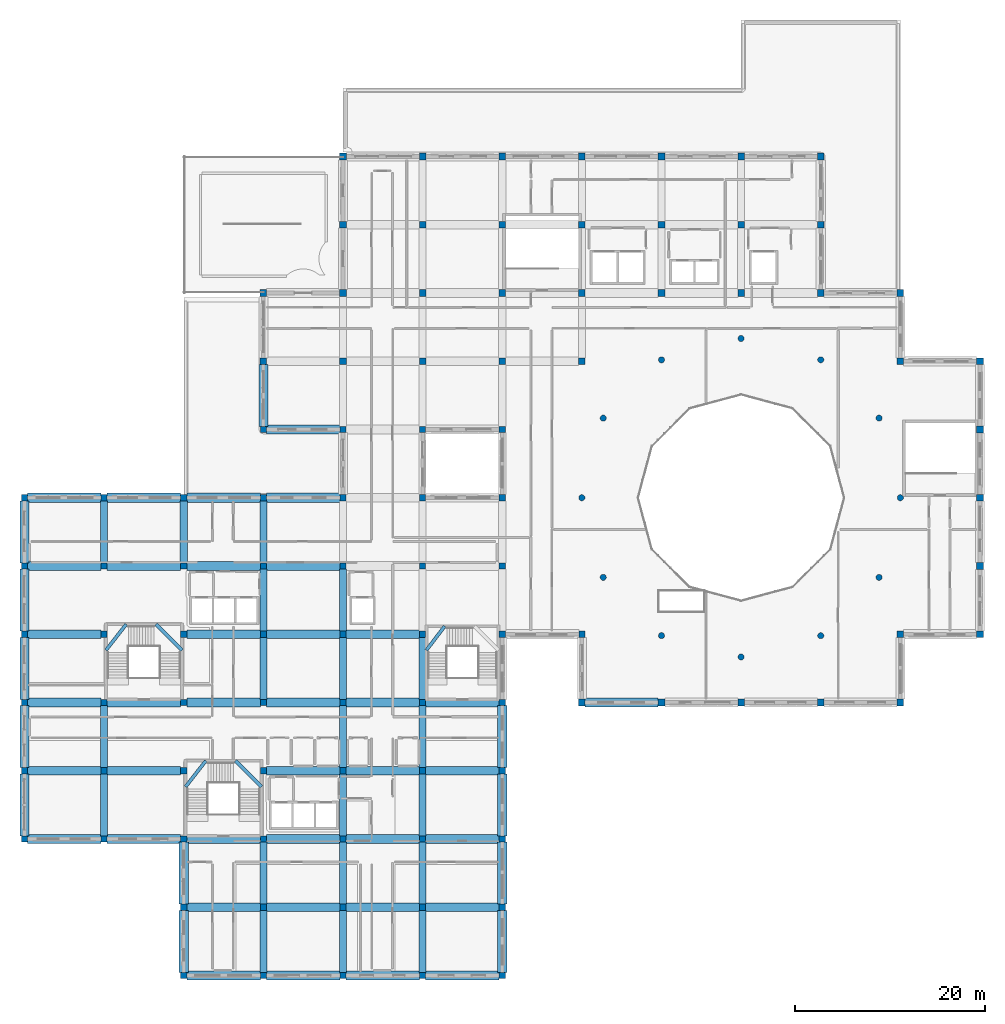
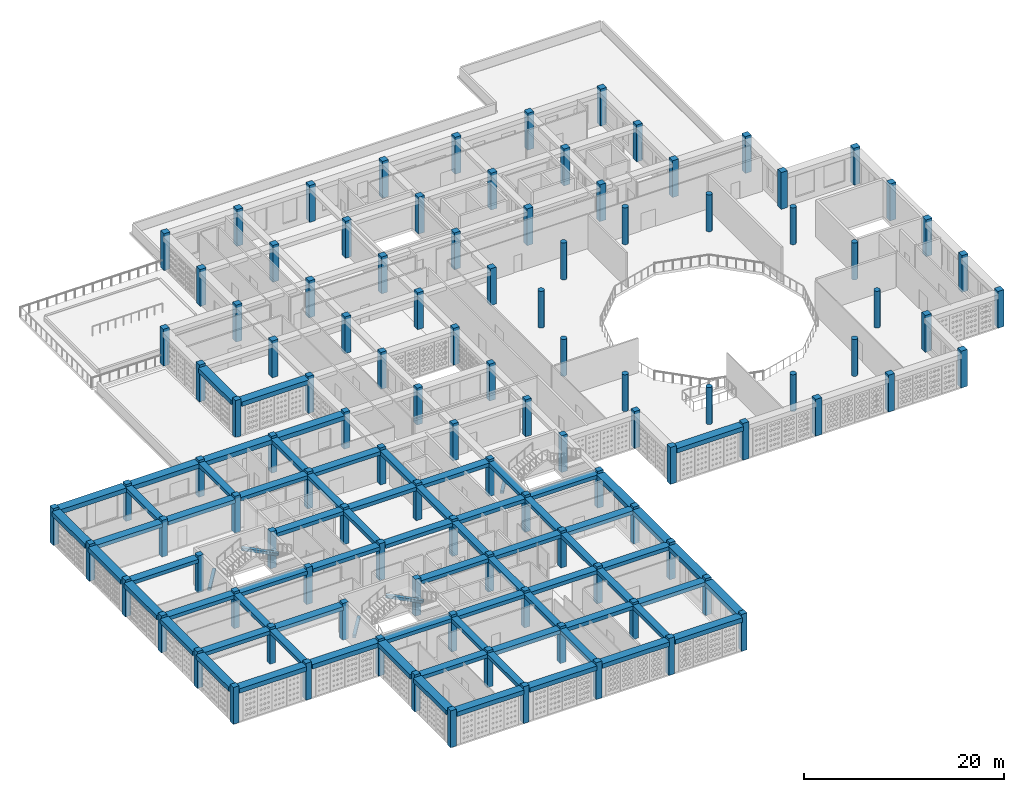
# One storey, part 1 of 47: 109 columns, 76 beams.
"""IFC4 building model written with IfcOpenShell, lengths in metres."""

from ifc_helpers import new_model, si_unit, derived_unit, direction, frame, origin, origin_2d, place, context, subcontext, project, spatial, rectangle, circle, extrude, material, material_profile, profile_set, type_object, element, save


model = new_model("IFC4")

# Units and contexts
model_context = context("Model", 3, precision=1e-05, world=origin(), true_north=direction((0.0, 1.0)))
body_context = subcontext(model_context, "Body", "Model", "MODEL_VIEW")
ifc_project = project(units=[si_unit("LENGTHUNIT", "METRE"), si_unit("AREAUNIT", "SQUARE_METRE"), si_unit("VOLUMEUNIT", "CUBIC_METRE"), si_unit("PLANEANGLEUNIT", "RADIAN"), si_unit("MASSUNIT", "GRAM", prefix="KILO"), derived_unit("THERMALTRANSMITTANCEUNIT", [(si_unit("POWERUNIT", "WATT"), 1), (si_unit("LENGTHUNIT", "METRE"), -2), (si_unit("THERMODYNAMICTEMPERATUREUNIT", "KELVIN"), -1)])], contexts=[model_context])

# Site, building, storey
site_placement = place(None, origin())
site = spatial("IfcSite", under=ifc_project, at=site_placement, CompositionType="ELEMENT")
building_placement = place(site_placement, origin())
building = spatial("IfcBuilding", under=site, at=building_placement, Name="Veybourne Emporium", CompositionType="ELEMENT")
storey_placement = place(building_placement, frame((0.0, 0.0, 23.39990234375)))
storey = spatial("IfcBuildingStorey", under=building, at=storey_placement, Name="L05", CompositionType="ELEMENT", Elevation=23.39990234375)

# Columns
ifc_material_1 = material(Name="Concrete C40/50", Category="concrete")
ifc_material_profile_1 = material_profile(ifc_material_1, rectangle(XDim=0.699951171875, YDim=0.699951171875, at=origin_2d()), Name="RC 700x700")
ifc_profile_set_1 = profile_set([ifc_material_profile_1], Name="Concrete C40/50")
column_type_1 = type_object("IfcColumnType", Name="Col_C-04", PredefinedType="COLUMN", material=ifc_profile_set_1)
for number, where, z_axis, x_axis, name in (
    (1, (25.199951171875, 64.800048828125, 0.0), (0.0, 0.0, 1.0), (1.0, 0.0, 0.0), "Column C-04 L05 (3,9)"),
    (2, (25.199951171875, 72.0, 0.0), (0.0, 0.0, 1.0), (1.0, 0.0, 0.0), "Column C-04 L05 (3,10)"),
    (3, (33.60009765625, 64.800048828125, 0.0), (0.0, 0.0, 1.0), (1.0, 0.0, 0.0), "Column C-04 L05 (4,9)"),
    (4, (33.60009765625, 72.0, 0.0), (0.0, 0.0, 1.0), (1.0, 0.0, 0.0), "Column C-04 L05 (4,10)"),
    (5, (33.60009765625, 79.199951171875, 0.0), (0.0, 0.0, 1.0), (1.0, 0.0, 0.0), "Column C-04 L05 (4,11)"),
    (6, (33.60009765625, 86.39990234375, 0.0), (0.0, 0.0, 1.0), (1.0, 0.0, 0.0), "Column C-04 L05 (4,12)"),
    (7, (42.0, 64.800048828125, 0.0), (0.0, 0.0, 1.0), (1.0, 0.0, 0.0), "Column C-04 L05 (5,9)"),
    (8, (42.0, 72.0, 0.0), (0.0, 0.0, 1.0), (1.0, 0.0, 0.0), "Column C-04 L05 (5,10)"),
    (9, (42.0, 79.199951171875, 0.0), (0.0, 0.0, 1.0), (1.0, 0.0, 0.0), "Column C-04 L05 (5,11)"),
    (10, (42.0, 86.39990234375, 0.0), (0.0, 0.0, 1.0), (1.0, 0.0, 0.0), "Column C-04 L05 (5,12)"),
    (11, (50.39990234375, 64.800048828125, 0.0), (0.0, 0.0, 1.0), (1.0, 0.0, 0.0), "Column C-04 L05 (6,9)"),
    (12, (50.39990234375, 72.0, 0.0), (0.0, 0.0, 1.0), (1.0, 0.0, 0.0), "Column C-04 L05 (6,10)"),
    (13, (50.39990234375, 79.199951171875, 0.0), (0.0, 0.0, 1.0), (1.0, 0.0, 0.0), "Column C-04 L05 (6,11)"),
    (14, (50.39990234375, 86.39990234375, 0.0), (0.0, 0.0, 1.0), (1.0, 0.0, 0.0), "Column C-04 L05 (6,12)"),
    (15, (58.800048828125, 28.800048828125, 0.0), (0.0, 0.0, 1.0), (1.0, 0.0, 0.0), "Column C-04 L05 (7,4)"),
    (16, (58.800048828125, 64.800048828125, 0.0), (0.0, 0.0, 1.0), (1.0, 0.0, 0.0), "Column C-04 L05 (7,9)"),
    (17, (58.800048828125, 72.0, 0.0), (0.0, 0.0, 1.0), (1.0, 0.0, 0.0), "Column C-04 L05 (7,10)"),
    (18, (58.800048828125, 79.199951171875, 0.0), (0.0, 0.0, 1.0), (1.0, 0.0, 0.0), "Column C-04 L05 (7,11)"),
    (19, (58.800048828125, 86.39990234375, 0.0), (0.0, 0.0, 1.0), (1.0, 0.0, 0.0), "Column C-04 L05 (7,12)"),
    (20, (67.199951171875, 28.800048828125, 0.0), (0.0, 0.0, 1.0), (1.0, 0.0, 0.0), "Column C-04 L05 (8,4)"),
    (21, (67.199951171875, 72.0, 0.0), (0.0, 0.0, 1.0), (1.0, 0.0, 0.0), "Column C-04 L05 (8,10)"),
    (22, (67.199951171875, 79.199951171875, 0.0), (0.0, 0.0, 1.0), (1.0, 0.0, 0.0), "Column C-04 L05 (8,11)"),
    (23, (67.199951171875, 86.39990234375, 0.0), (0.0, 0.0, 1.0), (1.0, 0.0, 0.0), "Column C-04 L05 (8,12)"),
    (24, (75.60009765625, 28.800048828125, 0.0), (0.0, 0.0, 1.0), (1.0, 0.0, 0.0), "Column C-04 L05 (9,4)"),
    (25, (75.60009765625, 72.0, 0.0), (0.0, 0.0, 1.0), (1.0, 0.0, 0.0), "Column C-04 L05 (9,10)"),
    (26, (75.60009765625, 79.199951171875, 0.0), (0.0, 0.0, 1.0), (1.0, 0.0, 0.0), "Column C-04 L05 (9,11)"),
    (27, (75.60009765625, 86.39990234375, 0.0), (0.0, 0.0, 1.0), (1.0, 0.0, 0.0), "Column C-04 L05 (9,12)"),
    (28, (84.0, 28.800048828125, 0.0), (0.0, 0.0, 1.0), (1.0, 0.0, 0.0), "Column C-04 L05 (10,4)"),
    (29, (84.0, 72.0, 0.0), (0.0, 0.0, 1.0), (1.0, 0.0, 0.0), "Column C-04 L05 (10,10)"),
    (30, (84.0, 79.199951171875, 0.0), (0.0, 0.0, 1.0), (1.0, 0.0, 0.0), "Column C-04 L05 (10,11)"),
    (31, (84.0, 86.39990234375, 0.0), (0.0, 0.0, 1.0), (1.0, 0.0, 0.0), "Column C-04 L05 (10,12)"),
    (32, (92.39990234375, 28.800048828125, 0.0), (0.0, 0.0, 1.0), (1.0, 0.0, 0.0), "Column C-04 L05 (11,4)"),
    (33, (92.39990234375, 36.0, 0.0), (0.0, 0.0, 1.0), (1.0, 0.0, 0.0), "Column C-04 L05 (11,5)"),
    (34, (92.39990234375, 64.800048828125, 0.0), (0.0, 0.0, 1.0), (1.0, 0.0, 0.0), "Column C-04 L05 (11,9)"),
    (35, (92.39990234375, 72.0, 0.0), (0.0, 0.0, 1.0), (1.0, 0.0, 0.0), "Column C-04 L05 (11,10)"),
    (36, (100.800048828125, 36.0, 0.0), (0.0, 0.0, 1.0), (1.0, 0.0, 0.0), "Column C-04 L05 (12,5)"),
    (37, (100.800048828125, 43.199951171875, 0.0), (0.0, 0.0, 1.0), (1.0, 0.0, 0.0), "Column C-04 L05 (12,6)"),
    (38, (100.800048828125, 50.39990234375, 0.0), (0.0, 0.0, 1.0), (1.0, 0.0, 0.0), "Column C-04 L05 (12,7)"),
    (39, (100.800048828125, 57.60009765625, 0.0), (0.0, 0.0, 1.0), (1.0, 0.0, 0.0), "Column C-04 L05 (12,8)"),
    (40, (100.800048828125, 64.800048828125, 0.0), (0.0, 0.0, 1.0), (1.0, 0.0, 0.0), "Column C-04 L05 (12,9)"),
):
    element("IfcColumn", number, at=place(storey_placement, frame(where, z_axis=z_axis, x_axis=x_axis)), inside=storey, type_object=column_type_1, Name=name, PredefinedType="COLUMN", context=body_context, shape_type="SweptSolid", body=[
        extrude(rectangle(XDim=0.699951171875, YDim=0.699951171875, at=origin_2d()), origin(), (0.0, 0.0, 1.0), 4.5),
    ])
ifc_material_profile_2 = material_profile(ifc_material_1, rectangle(XDim=0.64990234375, YDim=0.64990234375, at=origin_2d()), Name="RC 650x650")
ifc_profile_set_2 = profile_set([ifc_material_profile_2], Name="Concrete C40/50")
column_type_2 = type_object("IfcColumnType", Name="Col_C-05", PredefinedType="COLUMN", material=ifc_profile_set_2)
for number, where, z_axis, x_axis, name in (
    (41, (8.39990234375, 14.39990234375, 0.0), (0.0, 0.0, 1.0), (1.0, 0.0, 0.0), "Column C-05 L05 (1,2)"),
    (42, (8.39990234375, 21.60009765625, 0.0), (0.0, 0.0, 1.0), (1.0, 0.0, 0.0), "Column C-05 L05 (1,3)"),
    (43, (8.39990234375, 28.800048828125, 0.0), (0.0, 0.0, 1.0), (1.0, 0.0, 0.0), "Column C-05 L05 (1,4)"),
    (44, (8.39990234375, 36.0, 0.0), (0.0, 0.0, 1.0), (1.0, 0.0, 0.0), "Column C-05 L05 (1,5)"),
    (45, (8.39990234375, 43.199951171875, 0.0), (0.0, 0.0, 1.0), (1.0, 0.0, 0.0), "Column C-05 L05 (1,6)"),
    (46, (8.39990234375, 50.39990234375, 0.0), (0.0, 0.0, 1.0), (1.0, 0.0, 0.0), "Column C-05 L05 (1,7)"),
    (47, (16.800048828125, 7.199951171875, 0.0), (0.0, 0.0, 1.0), (1.0, 0.0, 0.0), "Column C-05 L05 (2,1)"),
    (48, (16.800048828125, 14.39990234375, 0.0), (0.0, 0.0, 1.0), (1.0, 0.0, 0.0), "Column C-05 L05 (2,2)"),
    (49, (16.800048828125, 21.60009765625, 0.0), (0.0, 0.0, 1.0), (1.0, 0.0, 0.0), "Column C-05 L05 (2,3)"),
    (50, (16.800048828125, 28.800048828125, 0.0), (0.0, 0.0, 1.0), (1.0, 0.0, 0.0), "Column C-05 L05 (2,4)"),
    (51, (16.800048828125, 36.0, 0.0), (0.0, 0.0, 1.0), (1.0, 0.0, 0.0), "Column C-05 L05 (2,5)"),
    (52, (16.800048828125, 43.199951171875, 0.0), (0.0, 0.0, 1.0), (1.0, 0.0, 0.0), "Column C-05 L05 (2,6)"),
    (53, (16.800048828125, 50.39990234375, 0.0), (0.0, 0.0, 1.0), (1.0, 0.0, 0.0), "Column C-05 L05 (2,7)"),
    (54, (25.199951171875, 7.199951171875, 0.0), (0.0, 0.0, 1.0), (1.0, 0.0, 0.0), "Column C-05 L05 (3,1)"),
    (55, (25.199951171875, 14.39990234375, 0.0), (0.0, 0.0, 1.0), (1.0, 0.0, 0.0), "Column C-05 L05 (3,2)"),
    (56, (25.199951171875, 21.60009765625, 0.0), (0.0, 0.0, 1.0), (1.0, 0.0, 0.0), "Column C-05 L05 (3,3)"),
    (57, (25.199951171875, 28.800048828125, 0.0), (0.0, 0.0, 1.0), (1.0, 0.0, 0.0), "Column C-05 L05 (3,4)"),
    (58, (25.199951171875, 36.0, 0.0), (0.0, 0.0, 1.0), (1.0, 0.0, 0.0), "Column C-05 L05 (3,5)"),
    (59, (25.199951171875, 43.199951171875, 0.0), (0.0, 0.0, 1.0), (1.0, 0.0, 0.0), "Column C-05 L05 (3,6)"),
    (60, (25.199951171875, 50.39990234375, 0.0), (0.0, 0.0, 1.0), (1.0, 0.0, 0.0), "Column C-05 L05 (3,7)"),
    (61, (25.199951171875, 57.60009765625, 0.0), (0.0, 0.0, 1.0), (1.0, 0.0, 0.0), "Column C-05 L05 (3,8)"),
    (62, (33.60009765625, 7.199951171875, 0.0), (0.0, 0.0, 1.0), (1.0, 0.0, 0.0), "Column C-05 L05 (4,1)"),
    (63, (33.60009765625, 14.39990234375, 0.0), (0.0, 0.0, 1.0), (1.0, 0.0, 0.0), "Column C-05 L05 (4,2)"),
    (64, (33.60009765625, 21.60009765625, 0.0), (0.0, 0.0, 1.0), (1.0, 0.0, 0.0), "Column C-05 L05 (4,3)"),
    (65, (33.60009765625, 28.800048828125, 0.0), (0.0, 0.0, 1.0), (1.0, 0.0, 0.0), "Column C-05 L05 (4,4)"),
    (66, (33.60009765625, 36.0, 0.0), (0.0, 0.0, 1.0), (1.0, 0.0, 0.0), "Column C-05 L05 (4,5)"),
    (67, (33.60009765625, 43.199951171875, 0.0), (0.0, 0.0, 1.0), (1.0, 0.0, 0.0), "Column C-05 L05 (4,6)"),
    (68, (33.60009765625, 50.39990234375, 0.0), (0.0, 0.0, 1.0), (1.0, 0.0, 0.0), "Column C-05 L05 (4,7)"),
    (69, (33.60009765625, 57.60009765625, 0.0), (0.0, 0.0, 1.0), (1.0, 0.0, 0.0), "Column C-05 L05 (4,8)"),
    (70, (42.0, 7.199951171875, 0.0), (0.0, 0.0, 1.0), (1.0, 0.0, 0.0), "Column C-05 L05 (5,1)"),
    (71, (42.0, 14.39990234375, 0.0), (0.0, 0.0, 1.0), (1.0, 0.0, 0.0), "Column C-05 L05 (5,2)"),
    (72, (42.0, 21.60009765625, 0.0), (0.0, 0.0, 1.0), (1.0, 0.0, 0.0), "Column C-05 L05 (5,3)"),
    (73, (42.0, 28.800048828125, 0.0), (0.0, 0.0, 1.0), (1.0, 0.0, 0.0), "Column C-05 L05 (5,4)"),
    (74, (42.0, 36.0, 0.0), (0.0, 0.0, 1.0), (1.0, 0.0, 0.0), "Column C-05 L05 (5,5)"),
    (75, (42.0, 43.199951171875, 0.0), (0.0, 0.0, 1.0), (1.0, 0.0, 0.0), "Column C-05 L05 (5,6)"),
    (76, (42.0, 50.39990234375, 0.0), (0.0, 0.0, 1.0), (1.0, 0.0, 0.0), "Column C-05 L05 (5,7)"),
    (77, (42.0, 57.60009765625, 0.0), (0.0, 0.0, 1.0), (1.0, 0.0, 0.0), "Column C-05 L05 (5,8)"),
    (78, (50.39990234375, 7.199951171875, 0.0), (0.0, 0.0, 1.0), (1.0, 0.0, 0.0), "Column C-05 L05 (6,1)"),
    (79, (50.39990234375, 14.39990234375, 0.0), (0.0, 0.0, 1.0), (1.0, 0.0, 0.0), "Column C-05 L05 (6,2)"),
    (80, (50.39990234375, 21.60009765625, 0.0), (0.0, 0.0, 1.0), (1.0, 0.0, 0.0), "Column C-05 L05 (6,3)"),
    (81, (50.39990234375, 28.800048828125, 0.0), (0.0, 0.0, 1.0), (1.0, 0.0, 0.0), "Column C-05 L05 (6,4)"),
    (82, (50.39990234375, 36.0, 0.0), (0.0, 0.0, 1.0), (1.0, 0.0, 0.0), "Column C-05 L05 (6,5)"),
    (83, (50.39990234375, 43.199951171875, 0.0), (0.0, 0.0, 1.0), (1.0, 0.0, 0.0), "Column C-05 L05 (6,6)"),
    (84, (50.39990234375, 50.39990234375, 0.0), (0.0, 0.0, 1.0), (1.0, 0.0, 0.0), "Column C-05 L05 (6,7)"),
    (85, (50.39990234375, 57.60009765625, 0.0), (0.0, 0.0, 1.0), (1.0, 0.0, 0.0), "Column C-05 L05 (6,8)"),
    (86, (58.800048828125, 36.0, 0.0), (0.0, 0.0, 1.0), (1.0, 0.0, 0.0), "Column C-05 L05 (7,5)"),
):
    element("IfcColumn", number, at=place(storey_placement, frame(where, z_axis=z_axis, x_axis=x_axis)), inside=storey, type_object=column_type_2, Name=name, PredefinedType="COLUMN", context=body_context, shape_type="SweptSolid", body=[
        extrude(rectangle(XDim=0.64990234375, YDim=0.64990234375, at=origin_2d()), origin(), (0.0, 0.0, 1.0), 4.5),
    ])
ifc_material_profile_3 = material_profile(ifc_material_1, circle(Radius=0.324951171875, at=origin_2d()), Name="RC D650")
ifc_profile_set_3 = profile_set([ifc_material_profile_3], Name="Concrete C40/50")
column_type_3 = type_object("IfcColumnType", Name="Col_CD-03", PredefinedType="COLUMN", material=ifc_profile_set_3)
for number, where, z_axis, x_axis, name in (
    (87, (92.39990234375, 50.39990234375, 0.0), (0.0, 0.0, 1.0), (1.0, 0.0, 0.0), "Atrium drum column CD-03 L05-01"),
    (88, (90.149169921875, 58.800048828125, 0.0), (0.0, 0.0, 1.0), (1.0, 0.0, 0.0), "Atrium drum column CD-03 L05-02"),
    (89, (84.0, 64.94921875, 0.0), (0.0, 0.0, 1.0), (1.0, 0.0, 0.0), "Atrium drum column CD-03 L05-03"),
    (90, (75.60009765625, 67.199951171875, 0.0), (0.0, 0.0, 1.0), (1.0, 0.0, 0.0), "Atrium drum column CD-03 L05-04"),
    (91, (67.199951171875, 64.94921875, 0.0), (0.0, 0.0, 1.0), (1.0, 0.0, 0.0), "Atrium drum column CD-03 L05-05"),
    (92, (61.05078125, 58.800048828125, 0.0), (0.0, 0.0, 1.0), (1.0, 0.0, 0.0), "Atrium drum column CD-03 L05-06"),
    (93, (58.800048828125, 50.39990234375, 0.0), (0.0, 0.0, 1.0), (1.0, 0.0, 0.0), "Atrium drum column CD-03 L05-07"),
    (94, (61.05078125, 42.0, 0.0), (0.0, 0.0, 1.0), (1.0, 0.0, 0.0), "Atrium drum column CD-03 L05-08"),
    (95, (67.199951171875, 35.850830078125, 0.0), (0.0, 0.0, 1.0), (1.0, 0.0, 0.0), "Atrium drum column CD-03 L05-09"),
    (96, (75.60009765625, 33.60009765625, 0.0), (0.0, 0.0, 1.0), (1.0, 0.0, 0.0), "Atrium drum column CD-03 L05-10"),
    (97, (84.0, 35.850830078125, 0.0), (0.0, 0.0, 1.0), (1.0, 0.0, 0.0), "Atrium drum column CD-03 L05-11"),
    (98, (90.149169921875, 42.0, 0.0), (0.0, 0.0, 1.0), (1.0, 0.0, 0.0), "Atrium drum column CD-03 L05-12"),
):
    element("IfcColumn", number, at=place(storey_placement, frame(where, z_axis=z_axis, x_axis=x_axis)), inside=storey, type_object=column_type_3, Name=name, PredefinedType="COLUMN", context=body_context, shape_type="SweptSolid", body=[
        extrude(circle(Radius=0.324951171875, at=origin_2d()), origin(), (0.0, 0.0, 1.0), 4.5),
    ])
ifc_material_profile_4 = material_profile(ifc_material_1, rectangle(XDim=0.64990234375, YDim=0.64990234375, at=origin_2d()), Name="RC 650x650")
ifc_profile_set_4 = profile_set([ifc_material_profile_4], Name="Concrete C40/50")
column_type_4 = type_object("IfcColumnType", Name="Col_CE-05", PredefinedType="COLUMN", material=ifc_profile_set_4)
for number, where, z_axis, x_axis, name in (
    (99, (0.0, 14.39990234375, 0.0), (0.0, 0.0, 1.0), (1.0, 0.0, 0.0), "Column CE-05 L05 (0,2)"),
    (100, (0.0, 21.60009765625, 0.0), (0.0, 0.0, 1.0), (1.0, 0.0, 0.0), "Column CE-05 L05 (0,3)"),
    (101, (0.0, 28.800048828125, 0.0), (0.0, 0.0, 1.0), (1.0, 0.0, 0.0), "Column CE-05 L05 (0,4)"),
    (102, (0.0, 36.0, 0.0), (0.0, 0.0, 1.0), (1.0, 0.0, 0.0), "Column CE-05 L05 (0,5)"),
    (103, (0.0, 43.199951171875, 0.0), (0.0, 0.0, 1.0), (1.0, 0.0, 0.0), "Column CE-05 L05 (0,6)"),
    (104, (0.0, 50.39990234375, 0.0), (0.0, 0.0, 1.0), (1.0, 0.0, 0.0), "Column CE-05 L05 (0,7)"),
    (105, (16.800048828125, 0.0, 0.0), (0.0, 0.0, 1.0), (1.0, 0.0, 0.0), "Column CE-05 L05 (2,0)"),
    (106, (25.199951171875, 0.0, 0.0), (0.0, 0.0, 1.0), (1.0, 0.0, 0.0), "Column CE-05 L05 (3,0)"),
    (107, (33.60009765625, 0.0, 0.0), (0.0, 0.0, 1.0), (1.0, 0.0, 0.0), "Column CE-05 L05 (4,0)"),
    (108, (42.0, 0.0, 0.0), (0.0, 0.0, 1.0), (1.0, 0.0, 0.0), "Column CE-05 L05 (5,0)"),
    (109, (50.39990234375, 0.0, 0.0), (0.0, 0.0, 1.0), (1.0, 0.0, 0.0), "Column CE-05 L05 (6,0)"),
):
    element("IfcColumn", number, at=place(storey_placement, frame(where, z_axis=z_axis, x_axis=x_axis)), inside=storey, type_object=column_type_4, Name=name, PredefinedType="COLUMN", context=body_context, shape_type="SweptSolid", body=[
        extrude(rectangle(XDim=0.64990234375, YDim=0.64990234375, at=origin_2d()), origin(), (0.0, 0.0, 1.0), 4.5),
    ])

# Beams
ifc_material_2 = material(Name="Concrete C32/40", Category="concrete")
ifc_material_profile_5 = material_profile(ifc_material_2, rectangle(XDim=0.35009765625, YDim=0.35009765625, at=origin_2d()), Name="RC 350x350")
ifc_profile_set_5 = profile_set([ifc_material_profile_5], Name="Concrete C32/40")
beam_type_1 = type_object("IfcBeamType", Name="LandingBeam_LB-01", PredefinedType="BEAM", material=ifc_profile_set_5)
beam_1_placement = place(storey_placement, frame((17.0, 19.919921875, 1.125), z_axis=(0.615121224311, 0.788432545879, 0.0), x_axis=(-0.788432545879, 0.615121224311, 0.0)))
element("IfcBeam", 110, at=beam_1_placement, inside=storey, type_object=beam_type_1, Name="L05 ST-01 landing 1 support beam", PredefinedType="BEAM", context=body_context, shape_type="SweptSolid", body=[
    extrude(rectangle(XDim=0.35009765625, YDim=0.35009765625, at=origin_2d()), origin(), (0.0, 0.0, 1.0), 3.462646484375),
])
beam_2_placement = place(storey_placement, frame((22.27001953125, 22.64990234375, 2.625), z_axis=(0.707106781187, -0.707106781187, 0.0), x_axis=(0.707106781187, 0.707106781187, 0.0)))
element("IfcBeam", 111, at=beam_2_placement, inside=storey, type_object=beam_type_1, Name="L05 ST-01 landing 2 support beam", PredefinedType="BEAM", context=body_context, shape_type="SweptSolid", body=[
    extrude(rectangle(XDim=0.35009765625, YDim=0.35009765625, at=origin_2d()), origin(), (0.0, 0.0, 1.0), 3.86083984375),
])
beam_3_placement = place(storey_placement, frame((8.60009765625, 34.320068359375, 1.125), z_axis=(0.615121224311, 0.788432545879, 0.0), x_axis=(-0.788432545879, 0.615121224311, 0.0)))
element("IfcBeam", 112, at=beam_3_placement, inside=storey, type_object=beam_type_1, Name="L05 ST-02 landing 1 support beam", PredefinedType="BEAM", context=body_context, shape_type="SweptSolid", body=[
    extrude(rectangle(XDim=0.35009765625, YDim=0.35009765625, at=origin_2d()), origin(), (0.0, 0.0, 1.0), 3.462646484375),
])
beam_4_placement = place(storey_placement, frame((13.8701171875, 37.050048828125, 2.625), z_axis=(0.707106781187, -0.707106781187, 0.0), x_axis=(0.707106781187, 0.707106781187, 0.0)))
element("IfcBeam", 113, at=beam_4_placement, inside=storey, type_object=beam_type_1, Name="L05 ST-02 landing 2 support beam", PredefinedType="BEAM", context=body_context, shape_type="SweptSolid", body=[
    extrude(rectangle(XDim=0.35009765625, YDim=0.35009765625, at=origin_2d()), origin(), (0.0, 0.0, 1.0), 3.86083984375),
])
beam_5_placement = place(storey_placement, frame((42.39990234375, 34.320068359375, 1.125), z_axis=(0.606547000965, 0.795047631039, 0.0), x_axis=(-0.795047631039, 0.606547000965, 0.0)))
element("IfcBeam", 114, at=beam_5_placement, inside=storey, type_object=beam_type_1, Name="L05 ST-05 landing 1 support beam", PredefinedType="BEAM", context=body_context, shape_type="SweptSolid", body=[
    extrude(rectangle(XDim=0.35009765625, YDim=0.35009765625, at=origin_2d()), origin(), (0.0, 0.0, 1.0), 3.18212890625),
])
ifc_material_profile_6 = material_profile(ifc_material_2, rectangle(XDim=0.89990234375, YDim=0.449951171875, at=origin_2d()), Name="RC 900x450")
ifc_profile_set_6 = profile_set([ifc_material_profile_6], Name="Concrete C32/40")
beam_type_2 = type_object("IfcBeamType", Name="RCBeam_BB-03", PredefinedType="BEAM", material=ifc_profile_set_6)
for number, where, z_axis, x_axis, name in (
    (115, (0.324951171875, 21.60009765625, 3.985107421875), (1.0, 0.0, 0.0), (0.0, 1.0, 0.0), "L05 X-grid beam BB-03 (0,3)"),
    (116, (0.324951171875, 28.800048828125, 3.985107421875), (1.0, 0.0, 0.0), (0.0, 1.0, 0.0), "L05 X-grid beam BB-03 (0,4)"),
    (117, (0.324951171875, 36.0, 3.985107421875), (1.0, 0.0, 0.0), (0.0, 1.0, 0.0), "L05 X-grid beam BB-03 (0,5)"),
    (118, (0.324951171875, 43.199951171875, 3.985107421875), (1.0, 0.0, 0.0), (0.0, 1.0, 0.0), "L05 X-grid beam BB-03 (0,6)"),
    (119, (8.72509765625, 21.60009765625, 3.985107421875), (1.0, 0.0, 0.0), (0.0, 1.0, 0.0), "L05 X-grid beam BB-03 (1,3)"),
    (120, (8.72509765625, 28.800048828125, 3.985107421875), (1.0, 0.0, 0.0), (0.0, 1.0, 0.0), "L05 X-grid beam BB-03 (1,4)"),
    (121, (8.72509765625, 43.199951171875, 3.985107421875), (1.0, 0.0, 0.0), (0.0, 1.0, 0.0), "L05 X-grid beam BB-03 (1,6)"),
    (122, (17.125, 7.199951171875, 3.985107421875), (1.0, 0.0, 0.0), (0.0, 1.0, 0.0), "L05 X-grid beam BB-03 (2,1)"),
    (123, (17.125, 14.39990234375, 3.985107421875), (1.0, 0.0, 0.0), (0.0, 1.0, 0.0), "L05 X-grid beam BB-03 (2,2)"),
    (124, (17.125, 28.800048828125, 3.985107421875), (1.0, 0.0, 0.0), (0.0, 1.0, 0.0), "L05 X-grid beam BB-03 (2,4)"),
    (125, (17.125, 36.0, 3.985107421875), (1.0, 0.0, 0.0), (0.0, 1.0, 0.0), "L05 X-grid beam BB-03 (2,5)"),
    (126, (17.125, 43.199951171875, 3.985107421875), (1.0, 0.0, 0.0), (0.0, 1.0, 0.0), "L05 X-grid beam BB-03 (2,6)"),
    (127, (25.52490234375, 7.199951171875, 3.985107421875), (1.0, 0.0, 0.0), (0.0, 1.0, 0.0), "L05 X-grid beam BB-03 (3,1)"),
    (128, (25.52490234375, 14.39990234375, 3.985107421875), (1.0, 0.0, 0.0), (0.0, 1.0, 0.0), "L05 X-grid beam BB-03 (3,2)"),
    (129, (25.52490234375, 21.60009765625, 3.985107421875), (1.0, 0.0, 0.0), (0.0, 1.0, 0.0), "L05 X-grid beam BB-03 (3,3)"),
    (130, (25.52490234375, 28.800048828125, 3.985107421875), (1.0, 0.0, 0.0), (0.0, 1.0, 0.0), "L05 X-grid beam BB-03 (3,4)"),
    (131, (25.52490234375, 36.0, 3.985107421875), (1.0, 0.0, 0.0), (0.0, 1.0, 0.0), "L05 X-grid beam BB-03 (3,5)"),
    (132, (25.52490234375, 43.199951171875, 3.985107421875), (1.0, 0.0, 0.0), (0.0, 1.0, 0.0), "L05 X-grid beam BB-03 (3,6)"),
    (133, (33.925048828125, 7.199951171875, 3.985107421875), (1.0, 0.0, 0.0), (0.0, 1.0, 0.0), "L05 X-grid beam BB-03 (4,1)"),
    (134, (33.925048828125, 14.39990234375, 3.985107421875), (1.0, 0.0, 0.0), (0.0, 1.0, 0.0), "L05 X-grid beam BB-03 (4,2)"),
    (135, (33.925048828125, 21.60009765625, 3.985107421875), (1.0, 0.0, 0.0), (0.0, 1.0, 0.0), "L05 X-grid beam BB-03 (4,3)"),
    (136, (33.925048828125, 28.800048828125, 3.985107421875), (1.0, 0.0, 0.0), (0.0, 1.0, 0.0), "L05 X-grid beam BB-03 (4,4)"),
    (137, (33.925048828125, 36.0, 3.985107421875), (1.0, 0.0, 0.0), (0.0, 1.0, 0.0), "L05 X-grid beam BB-03 (4,5)"),
    (138, (42.324951171875, 7.199951171875, 3.985107421875), (1.0, 0.0, 0.0), (0.0, 1.0, 0.0), "L05 X-grid beam BB-03 (5,1)"),
    (139, (42.324951171875, 14.39990234375, 3.985107421875), (1.0, 0.0, 0.0), (0.0, 1.0, 0.0), "L05 X-grid beam BB-03 (5,2)"),
    (140, (42.324951171875, 21.60009765625, 3.985107421875), (1.0, 0.0, 0.0), (0.0, 1.0, 0.0), "L05 X-grid beam BB-03 (5,3)"),
    (141, (42.324951171875, 28.800048828125, 3.985107421875), (1.0, 0.0, 0.0), (0.0, 1.0, 0.0), "L05 X-grid beam BB-03 (5,4)"),
):
    element("IfcBeam", number, at=place(storey_placement, frame(where, z_axis=z_axis, x_axis=x_axis)), inside=storey, type_object=beam_type_2, Name=name, PredefinedType="BEAM", context=body_context, shape_type="SweptSolid", body=[
        extrude(rectangle(XDim=0.89990234375, YDim=0.449951171875, at=origin_2d()), origin(), (0.0, 0.0, 1.0), 7.75),
    ])
ifc_material_profile_7 = material_profile(ifc_material_2, rectangle(XDim=0.75, YDim=0.449951171875, at=origin_2d()), Name="RC 750x450")
ifc_profile_set_7 = profile_set([ifc_material_profile_7], Name="Concrete C32/40")
beam_type_3 = type_object("IfcBeamType", Name="RCBeam_BB-04", PredefinedType="BEAM", material=ifc_profile_set_7)
beam_6_placement = place(storey_placement, frame((8.39990234375, 14.72509765625, 3.985107421875), z_axis=(0.0, 1.0, 0.0), x_axis=(-1.0, 0.0, 0.0)))
element("IfcBeam", 142, at=beam_6_placement, inside=storey, type_object=beam_type_3, Name="L05 Y-grid beam BB-04 (1,2)", PredefinedType="BEAM", context=body_context, shape_type="SweptSolid", body=[
    extrude(rectangle(XDim=0.75, YDim=0.449951171875, at=origin_2d()), origin(), (0.0, 0.0, 1.0), 6.5498046875),
])
for number, where, z_axis, x_axis, name in (
    (143, (8.39990234375, 21.925048828125, 3.985107421875), (0.0, 1.0, 0.0), (-1.0, 0.0, 0.0), "L05 Y-grid beam BB-04 (1,3)"),
    (144, (8.39990234375, 43.52490234375, 3.985107421875), (0.0, 1.0, 0.0), (-1.0, 0.0, 0.0), "L05 Y-grid beam BB-04 (1,6)"),
    (145, (16.800048828125, 43.52490234375, 3.985107421875), (0.0, 1.0, 0.0), (-1.0, 0.0, 0.0), "L05 Y-grid beam BB-04 (2,6)"),
    (146, (25.199951171875, 0.324951171875, 3.985107421875), (0.0, 1.0, 0.0), (-1.0, 0.0, 0.0), "L05 Y-grid beam BB-04 (3,0)"),
    (147, (25.199951171875, 7.52490234375, 3.985107421875), (0.0, 1.0, 0.0), (-1.0, 0.0, 0.0), "L05 Y-grid beam BB-04 (3,1)"),
    (148, (25.199951171875, 29.125, 3.985107421875), (0.0, 1.0, 0.0), (-1.0, 0.0, 0.0), "L05 Y-grid beam BB-04 (3,4)"),
    (149, (25.199951171875, 36.324951171875, 3.985107421875), (0.0, 1.0, 0.0), (-1.0, 0.0, 0.0), "L05 Y-grid beam BB-04 (3,5)"),
    (150, (25.199951171875, 43.52490234375, 3.985107421875), (0.0, 1.0, 0.0), (-1.0, 0.0, 0.0), "L05 Y-grid beam BB-04 (3,6)"),
    (151, (33.60009765625, 0.324951171875, 3.985107421875), (0.0, 1.0, 0.0), (-1.0, 0.0, 0.0), "L05 Y-grid beam BB-04 (4,0)"),
    (152, (33.60009765625, 7.52490234375, 3.985107421875), (0.0, 1.0, 0.0), (-1.0, 0.0, 0.0), "L05 Y-grid beam BB-04 (4,1)"),
):
    element("IfcBeam", number, at=place(storey_placement, frame(where, z_axis=z_axis, x_axis=x_axis)), inside=storey, type_object=beam_type_3, Name=name, PredefinedType="BEAM", context=body_context, shape_type="SweptSolid", body=[
        extrude(rectangle(XDim=0.75, YDim=0.449951171875, at=origin_2d()), origin(), (0.0, 0.0, 1.0), 6.550048828125),
    ])
beam_7_placement = place(storey_placement, frame((33.60009765625, 14.72509765625, 3.985107421875), z_axis=(0.0, 1.0, 0.0), x_axis=(-1.0, 0.0, 0.0)))
element("IfcBeam", 153, at=beam_7_placement, inside=storey, type_object=beam_type_3, Name="L05 Y-grid beam BB-04 (4,2)", PredefinedType="BEAM", context=body_context, shape_type="SweptSolid", body=[
    extrude(rectangle(XDim=0.75, YDim=0.449951171875, at=origin_2d()), origin(), (0.0, 0.0, 1.0), 6.5498046875),
])
for number, where, z_axis, x_axis, name in (
    (154, (33.60009765625, 21.925048828125, 3.985107421875), (0.0, 1.0, 0.0), (-1.0, 0.0, 0.0), "L05 Y-grid beam BB-04 (4,3)"),
    (155, (33.60009765625, 29.125, 3.985107421875), (0.0, 1.0, 0.0), (-1.0, 0.0, 0.0), "L05 Y-grid beam BB-04 (4,4)"),
    (156, (33.60009765625, 36.324951171875, 3.985107421875), (0.0, 1.0, 0.0), (-1.0, 0.0, 0.0), "L05 Y-grid beam BB-04 (4,5)"),
    (157, (42.0, 0.324951171875, 3.985107421875), (0.0, 1.0, 0.0), (-1.0, 0.0, 0.0), "L05 Y-grid beam BB-04 (5,0)"),
    (158, (42.0, 7.52490234375, 3.985107421875), (0.0, 1.0, 0.0), (-1.0, 0.0, 0.0), "L05 Y-grid beam BB-04 (5,1)"),
):
    element("IfcBeam", number, at=place(storey_placement, frame(where, z_axis=z_axis, x_axis=x_axis)), inside=storey, type_object=beam_type_3, Name=name, PredefinedType="BEAM", context=body_context, shape_type="SweptSolid", body=[
        extrude(rectangle(XDim=0.75, YDim=0.449951171875, at=origin_2d()), origin(), (0.0, 0.0, 1.0), 6.550048828125),
    ])
beam_8_placement = place(storey_placement, frame((42.0, 14.72509765625, 3.985107421875), z_axis=(0.0, 1.0, 0.0), x_axis=(-1.0, 0.0, 0.0)))
element("IfcBeam", 159, at=beam_8_placement, inside=storey, type_object=beam_type_3, Name="L05 Y-grid beam BB-04 (5,2)", PredefinedType="BEAM", context=body_context, shape_type="SweptSolid", body=[
    extrude(rectangle(XDim=0.75, YDim=0.449951171875, at=origin_2d()), origin(), (0.0, 0.0, 1.0), 6.5498046875),
])
for number, where, z_axis, x_axis, name in (
    (160, (42.0, 21.925048828125, 3.985107421875), (0.0, 1.0, 0.0), (-1.0, 0.0, 0.0), "L05 Y-grid beam BB-04 (5,3)"),
    (161, (42.0, 29.125, 3.985107421875), (0.0, 1.0, 0.0), (-1.0, 0.0, 0.0), "L05 Y-grid beam BB-04 (5,4)"),
):
    element("IfcBeam", number, at=place(storey_placement, frame(where, z_axis=z_axis, x_axis=x_axis)), inside=storey, type_object=beam_type_3, Name=name, PredefinedType="BEAM", context=body_context, shape_type="SweptSolid", body=[
        extrude(rectangle(XDim=0.75, YDim=0.449951171875, at=origin_2d()), origin(), (0.0, 0.0, 1.0), 6.550048828125),
    ])
ifc_material_profile_8 = material_profile(ifc_material_2, rectangle(XDim=0.949951171875, YDim=0.550048828125, at=origin_2d()), Name="RC 950x550")
ifc_profile_set_8 = profile_set([ifc_material_profile_8], Name="Concrete C32/40")
beam_type_4 = type_object("IfcBeamType", Name="RCBeam_EB-01", PredefinedType="SPANDREL", material=ifc_profile_set_8)
for number, where, z_axis, x_axis, name in (
    (162, (0.324951171875, 14.39990234375, 3.93505859375), (1.0, 0.0, 0.0), (0.0, 1.0, 0.0), "L05 X-grid beam EB-01 (0,2)"),
    (163, (0.324951171875, 50.39990234375, 3.93505859375), (1.0, 0.0, 0.0), (0.0, 1.0, 0.0), "L05 X-grid beam EB-01 (0,7)"),
    (164, (8.72509765625, 14.39990234375, 3.93505859375), (1.0, 0.0, 0.0), (0.0, 1.0, 0.0), "L05 X-grid beam EB-01 (1,2)"),
    (165, (8.72509765625, 50.39990234375, 3.93505859375), (1.0, 0.0, 0.0), (0.0, 1.0, 0.0), "L05 X-grid beam EB-01 (1,7)"),
    (166, (17.125, 0.0, 3.93505859375), (1.0, 0.0, 0.0), (0.0, 1.0, 0.0), "L05 X-grid beam EB-01 (2,0)"),
    (167, (17.125, 50.39990234375, 3.93505859375), (1.0, 0.0, 0.0), (0.0, 1.0, 0.0), "L05 X-grid beam EB-01 (2,7)"),
    (168, (25.52490234375, 0.0, 3.93505859375), (1.0, 0.0, 0.0), (0.0, 1.0, 0.0), "L05 X-grid beam EB-01 (3,0)"),
    (169, (25.52490234375, 50.39990234375, 3.93505859375), (1.0, 0.0, 0.0), (0.0, 1.0, 0.0), "L05 X-grid beam EB-01 (3,7)"),
    (170, (25.52490234375, 57.60009765625, 3.93505859375), (1.0, 0.0, 0.0), (0.0, 1.0, 0.0), "L05 X-grid beam EB-01 (3,8)"),
    (171, (33.925048828125, 0.0, 3.93505859375), (1.0, 0.0, 0.0), (0.0, 1.0, 0.0), "L05 X-grid beam EB-01 (4,0)"),
    (172, (42.324951171875, 0.0, 3.93505859375), (1.0, 0.0, 0.0), (0.0, 1.0, 0.0), "L05 X-grid beam EB-01 (5,0)"),
):
    element("IfcBeam", number, at=place(storey_placement, frame(where, z_axis=z_axis, x_axis=x_axis)), inside=storey, type_object=beam_type_4, Name=name, PredefinedType="SPANDREL", context=body_context, shape_type="SweptSolid", body=[
        extrude(rectangle(XDim=0.949951171875, YDim=0.550048828125, at=origin_2d()), origin(), (0.0, 0.0, 1.0), 7.75),
    ])
beam_9_placement = place(storey_placement, frame((59.14990234375, 28.800048828125, 3.93505859375), z_axis=(1.0, 0.0, 0.0), x_axis=(0.0, 1.0, 0.0)))
element("IfcBeam", 173, at=beam_9_placement, inside=storey, type_object=beam_type_4, Name="L05 X-grid beam EB-01 (7,4)", PredefinedType="SPANDREL", context=body_context, shape_type="SweptSolid", body=[
    extrude(rectangle(XDim=0.949951171875, YDim=0.550048828125, at=origin_2d()), origin(), (0.0, 0.0, 1.0), 7.7001953125),
])
beam_10_placement = place(storey_placement, frame((0.0, 14.72509765625, 3.93505859375), z_axis=(0.0, 1.0, 0.0), x_axis=(-1.0, 0.0, 0.0)))
element("IfcBeam", 174, at=beam_10_placement, inside=storey, type_object=beam_type_4, Name="L05 Y-grid beam EB-01 (0,2)", PredefinedType="SPANDREL", context=body_context, shape_type="SweptSolid", body=[
    extrude(rectangle(XDim=0.949951171875, YDim=0.550048828125, at=origin_2d()), origin(), (0.0, 0.0, 1.0), 6.5498046875),
])
for number, where, z_axis, x_axis, name in (
    (175, (0.0, 21.925048828125, 3.93505859375), (0.0, 1.0, 0.0), (-1.0, 0.0, 0.0), "L05 Y-grid beam EB-01 (0,3)"),
    (176, (0.0, 29.125, 3.93505859375), (0.0, 1.0, 0.0), (-1.0, 0.0, 0.0), "L05 Y-grid beam EB-01 (0,4)"),
    (177, (0.0, 36.324951171875, 3.93505859375), (0.0, 1.0, 0.0), (-1.0, 0.0, 0.0), "L05 Y-grid beam EB-01 (0,5)"),
    (178, (0.0, 43.52490234375, 3.93505859375), (0.0, 1.0, 0.0), (-1.0, 0.0, 0.0), "L05 Y-grid beam EB-01 (0,6)"),
    (179, (16.800048828125, 0.324951171875, 3.93505859375), (0.0, 1.0, 0.0), (-1.0, 0.0, 0.0), "L05 Y-grid beam EB-01 (2,0)"),
    (180, (16.800048828125, 7.52490234375, 3.93505859375), (0.0, 1.0, 0.0), (-1.0, 0.0, 0.0), "L05 Y-grid beam EB-01 (2,1)"),
):
    element("IfcBeam", number, at=place(storey_placement, frame(where, z_axis=z_axis, x_axis=x_axis)), inside=storey, type_object=beam_type_4, Name=name, PredefinedType="SPANDREL", context=body_context, shape_type="SweptSolid", body=[
        extrude(rectangle(XDim=0.949951171875, YDim=0.550048828125, at=origin_2d()), origin(), (0.0, 0.0, 1.0), 6.550048828125),
    ])
beam_11_placement = place(storey_placement, frame((25.199951171875, 57.925048828125, 3.93505859375), z_axis=(0.0, 1.0, 0.0), x_axis=(-1.0, 0.0, 0.0)))
element("IfcBeam", 181, at=beam_11_placement, inside=storey, type_object=beam_type_4, Name="L05 Y-grid beam EB-01 (3,8)", PredefinedType="SPANDREL", context=body_context, shape_type="SweptSolid", body=[
    extrude(rectangle(XDim=0.949951171875, YDim=0.550048828125, at=origin_2d()), origin(), (0.0, 0.0, 1.0), 6.52490234375),
])
for number, where, z_axis, x_axis, name in (
    (182, (50.39990234375, 0.324951171875, 3.93505859375), (0.0, 1.0, 0.0), (-1.0, 0.0, 0.0), "L05 Y-grid beam EB-01 (6,0)"),
    (183, (50.39990234375, 7.52490234375, 3.93505859375), (0.0, 1.0, 0.0), (-1.0, 0.0, 0.0), "L05 Y-grid beam EB-01 (6,1)"),
):
    element("IfcBeam", number, at=place(storey_placement, frame(where, z_axis=z_axis, x_axis=x_axis)), inside=storey, type_object=beam_type_4, Name=name, PredefinedType="SPANDREL", context=body_context, shape_type="SweptSolid", body=[
        extrude(rectangle(XDim=0.949951171875, YDim=0.550048828125, at=origin_2d()), origin(), (0.0, 0.0, 1.0), 6.550048828125),
    ])
beam_12_placement = place(storey_placement, frame((50.39990234375, 14.72509765625, 3.93505859375), z_axis=(0.0, 1.0, 0.0), x_axis=(-1.0, 0.0, 0.0)))
element("IfcBeam", 184, at=beam_12_placement, inside=storey, type_object=beam_type_4, Name="L05 Y-grid beam EB-01 (6,2)", PredefinedType="SPANDREL", context=body_context, shape_type="SweptSolid", body=[
    extrude(rectangle(XDim=0.949951171875, YDim=0.550048828125, at=origin_2d()), origin(), (0.0, 0.0, 1.0), 6.5498046875),
])
beam_13_placement = place(storey_placement, frame((50.39990234375, 21.925048828125, 3.93505859375), z_axis=(0.0, 1.0, 0.0), x_axis=(-1.0, 0.0, 0.0)))
element("IfcBeam", 185, at=beam_13_placement, inside=storey, type_object=beam_type_4, Name="L05 Y-grid beam EB-01 (6,3)", PredefinedType="SPANDREL", context=body_context, shape_type="SweptSolid", body=[
    extrude(rectangle(XDim=0.949951171875, YDim=0.550048828125, at=origin_2d()), origin(), (0.0, 0.0, 1.0), 6.550048828125),
])

save(model, "model.ifc")
